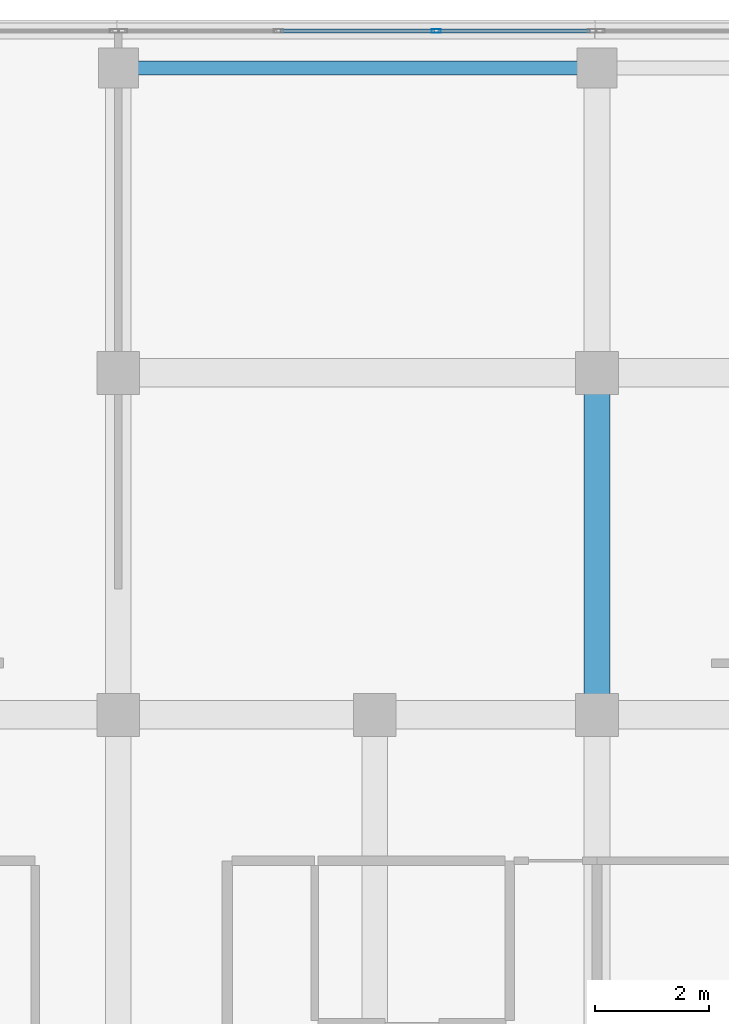
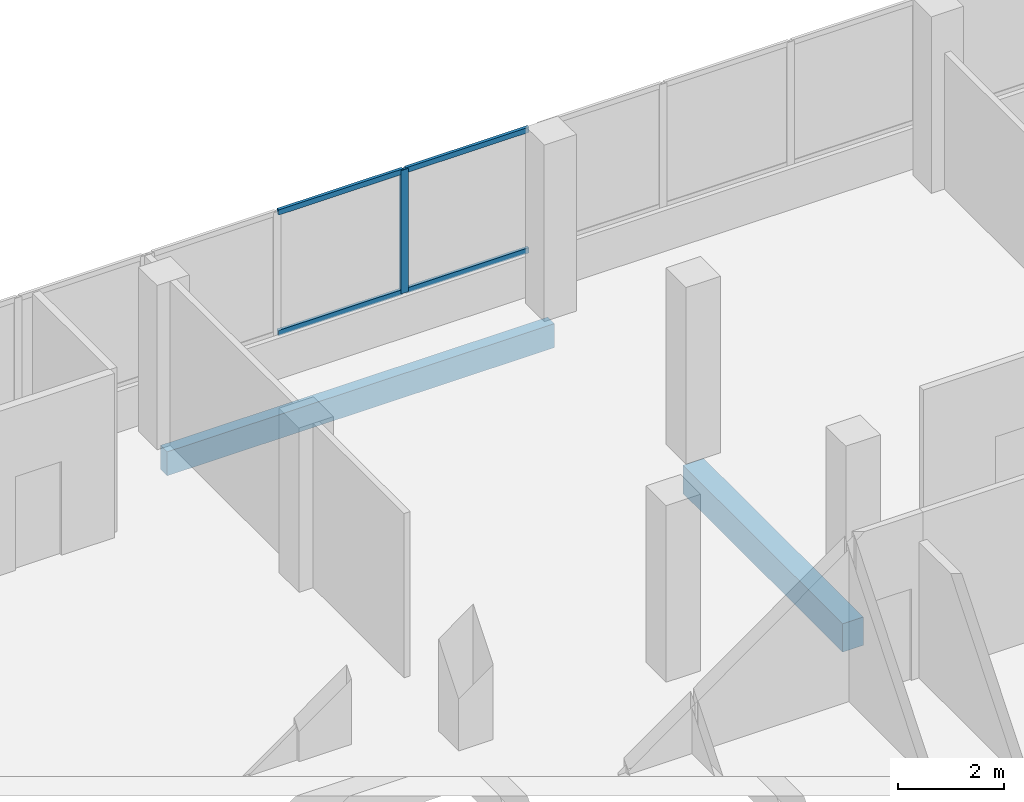
# One storey, part 36 of 101: 5 members, 2 beams, 1 element without a shape of its own.
"""IFC4 building model written with IfcOpenShell, lengths in metres."""

from ifc_helpers import new_model, si_unit, direction, frame, origin, origin_2d, place, context, subcontext, project, spatial, rectangle, hollow_rectangle, extrude, material, material_profile, profile_set, type_object, element, aggregate, save


model = new_model("IFC4")

# Units and contexts
model_context = context("Model", 3, precision=1e-05, world=origin(), true_north=direction((0.0, 1.0)))
body_context = subcontext(model_context, "Body", "Model", "MODEL_VIEW")
ifc_project = project(units=[si_unit("LENGTHUNIT", "METRE"), si_unit("AREAUNIT", "SQUARE_METRE"), si_unit("VOLUMEUNIT", "CUBIC_METRE"), si_unit("PLANEANGLEUNIT", "RADIAN"), si_unit("MASSUNIT", "GRAM", prefix="KILO")], contexts=[model_context])

# Site, building, storey
site_placement = place(None, origin())
site = spatial("IfcSite", under=ifc_project, at=site_placement, CompositionType="ELEMENT")
building_placement = place(site_placement, origin())
building = spatial("IfcBuilding", under=site, at=building_placement, Name="Selatvlak General Hospital", CompositionType="ELEMENT")
storey_placement = place(building_placement, frame((0.0, 0.0, 19.199951171875)))
storey = spatial("IfcBuildingStorey", under=building, at=storey_placement, Name="L04", CompositionType="ELEMENT", Elevation=19.199951171875)

# Beams
ifc_material_1 = material(Name="Concrete C40/50", Category="concrete")
ifc_material_profile_1 = material_profile(ifc_material_1, rectangle(XDim=0.449951171875, YDim=0.64990234375, at=origin_2d()), Name="RC-BM 450x650")
ifc_profile_set_1 = profile_set([ifc_material_profile_1], Name="Concrete C40/50")
beam_type_1 = type_object("IfcBeamType", Name="BM-G04", PredefinedType="BEAM", material=ifc_profile_set_1)
beam_1_placement = place(storey_placement, frame((31.199951171875, 108.0, -0.6298828125), z_axis=(0.0, 1.0, 0.0), x_axis=(-1.0, 0.0, 0.0)))
element("IfcBeam", 1, at=beam_1_placement, inside=storey, type_object=beam_type_1, Name="Beam BMR-L04-1651", PredefinedType="BEAM", context=body_context, shape_type="SweptSolid", body=[
    extrude(rectangle(XDim=0.449951171875, YDim=0.64990234375, at=origin_2d()), origin(), (0.0, 0.0, 1.0), 6.0),
])
ifc_material_profile_2 = material_profile(ifc_material_1, rectangle(XDim=0.25, YDim=0.550048828125, at=origin_2d()), Name="RC-SP 250x550")
ifc_profile_set_2 = profile_set([ifc_material_profile_2], Name="Concrete C40/50")
beam_type_2 = type_object("IfcBeamType", Name="BM-SP2", PredefinedType="SPANDREL", material=ifc_profile_set_2)
beam_2_placement = place(storey_placement, frame((22.800048828125, 119.35009765625, -0.579833984375), z_axis=(1.0, 0.0, 0.0), x_axis=(0.0, 1.0, 0.0)))
element("IfcBeam", 2, at=beam_2_placement, inside=storey, type_object=beam_type_2, Name="Beam BMR-L04-1629", PredefinedType="SPANDREL", context=body_context, shape_type="SweptSolid", body=[
    extrude(rectangle(XDim=0.25, YDim=0.550048828125, at=origin_2d()), origin(), (0.0, 0.0, 1.0), 8.39990234375),
])

# Curtain wall, members
ifc_material_2 = material(Name="Solar-control Low-E double glazing", Category="glass")
curtain_wall_type = type_object("IfcCurtainWallType", Name="CW-CW-01", PredefinedType="USERDEFINED", material=ifc_material_2)
curtain_wall_placement = place(storey_placement, origin())
curtain_wall = element("IfcCurtainWall", 3, at=curtain_wall_placement, inside=storey, type_object=curtain_wall_type, Name="Glazed facade curtain wall CW-L04-0481", ObjectType="UNITISED CURTAIN WALL", PredefinedType="USERDEFINED")
ifc_material_3 = material(Name="Dark anodised aluminium mullion", Category="aluminium")
ifc_material_profile_3 = material_profile(ifc_material_3, hollow_rectangle(XDim=0.06494140625, YDim=0.159912109375, WallThickness=0.00390625, at=origin_2d()), Name="AL-MUL 65x160x4")
ifc_profile_set_3 = profile_set([ifc_material_profile_3], Name="Dark anodised aluminium mullion")
member_type_1 = type_object("IfcMemberType", Name="CWM-01", PredefinedType="MULLION", material=ifc_profile_set_3)
member_1_placement = place(storey_placement, frame((28.37841796875, 119.9990234375, 0.93994140625), z_axis=(0.0, 0.0, 1.0), x_axis=(0.0, 1.0, 0.0)))
member_1 = element("IfcMember", 4, at=member_1_placement, type_object=member_type_1, Name="CW-01 mullion 3", PredefinedType="MULLION", context=body_context, shape_type="SweptSolid", body=[
    extrude(hollow_rectangle(XDim=0.06494140625, YDim=0.159912109375, WallThickness=0.00390625, at=origin_2d()), origin(), (0.0, 0.0, 1.0), 2.830078125),
])
ifc_material_profile_4 = material_profile(ifc_material_3, hollow_rectangle(XDim=0.06494140625, YDim=0.1201171875, WallThickness=0.00390625, at=origin_2d()), Name="AL-TRN 65x120x4")
ifc_profile_set_4 = profile_set([ifc_material_profile_4], Name="Dark anodised aluminium mullion")
member_type_2 = type_object("IfcMemberType", Name="CWT-01", PredefinedType="USERDEFINED", material=ifc_profile_set_4)
member_2_placement = place(storey_placement, frame((25.644287109375, 119.9990234375, 0.97265625), z_axis=(1.0, 0.0, 0.0), x_axis=(0.0, 1.0, 0.0)))
member_2 = element("IfcMember", 5, at=member_2_placement, type_object=member_type_2, Name="CW-01 transom 2.1", ObjectType="TRANSOM", PredefinedType="USERDEFINED", context=body_context, shape_type="SweptSolid", body=[
    extrude(hollow_rectangle(XDim=0.06494140625, YDim=0.1201171875, WallThickness=0.00390625, at=origin_2d()), origin(), (0.0, 0.0, 1.0), 2.70166015625),
])
member_3_placement = place(storey_placement, frame((25.644287109375, 119.9990234375, 3.737548828125), z_axis=(1.0, 0.0, 0.0), x_axis=(0.0, 1.0, 0.0)))
member_3 = element("IfcMember", 6, at=member_3_placement, type_object=member_type_2, Name="CW-01 transom 2.2", ObjectType="TRANSOM", PredefinedType="USERDEFINED", context=body_context, shape_type="SweptSolid", body=[
    extrude(hollow_rectangle(XDim=0.06494140625, YDim=0.1201171875, WallThickness=0.00390625, at=origin_2d()), origin(), (0.0, 0.0, 1.0), 2.70166015625),
])
member_4_placement = place(storey_placement, frame((28.410888671875, 119.9990234375, 0.97265625), z_axis=(1.0, 0.0, 0.0), x_axis=(0.0, 1.0, 0.0)))
member_4 = element("IfcMember", 7, at=member_4_placement, type_object=member_type_2, Name="CW-01 transom 3.1", ObjectType="TRANSOM", PredefinedType="USERDEFINED", context=body_context, shape_type="SweptSolid", body=[
    extrude(hollow_rectangle(XDim=0.06494140625, YDim=0.1201171875, WallThickness=0.00390625, at=origin_2d()), origin(), (0.0, 0.0, 1.0), 2.669189453125),
])
member_5_placement = place(storey_placement, frame((28.410888671875, 119.9990234375, 3.737548828125), z_axis=(1.0, 0.0, 0.0), x_axis=(0.0, 1.0, 0.0)))
member_5 = element("IfcMember", 8, at=member_5_placement, type_object=member_type_2, Name="CW-01 transom 3.2", ObjectType="TRANSOM", PredefinedType="USERDEFINED", context=body_context, shape_type="SweptSolid", body=[
    extrude(hollow_rectangle(XDim=0.06494140625, YDim=0.1201171875, WallThickness=0.00390625, at=origin_2d()), origin(), (0.0, 0.0, 1.0), 2.669189453125),
])
aggregate(curtain_wall, [member_1, member_2, member_3, member_4, member_5])

save(model, "model.ifc")
